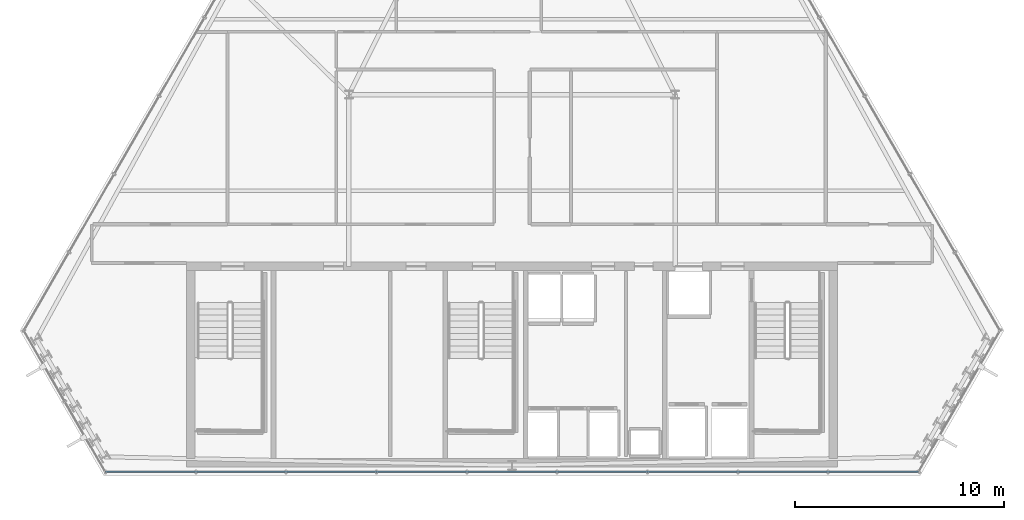
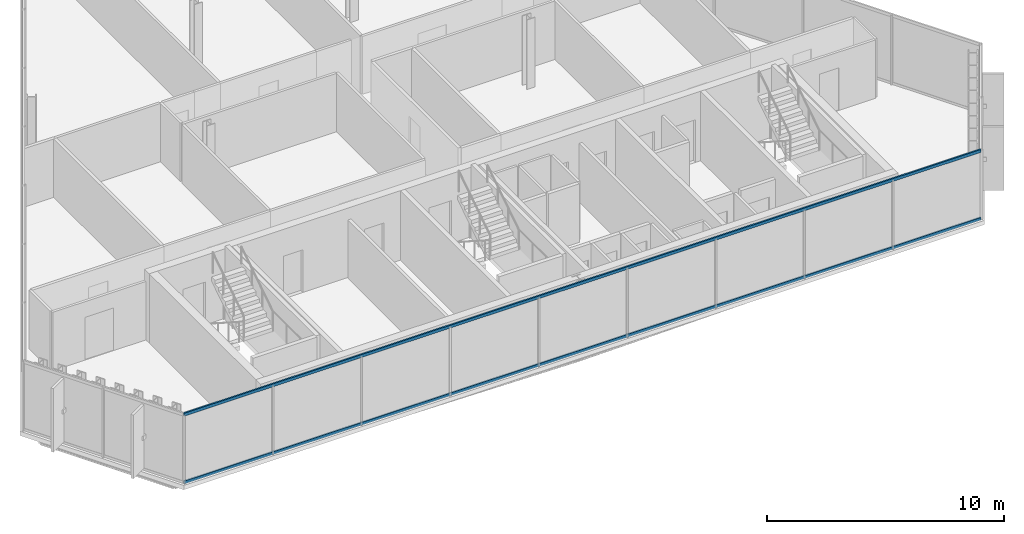
# One storey, part 7 of 30: 2 members, 1 element without a shape of its own.
"""IFC4 building model written with IfcOpenShell, lengths in metres."""

from ifc_helpers import new_model, si_unit, direction, frame, origin, origin_2d, place, context, subcontext, project, spatial, hollow_rectangle, extrude, material, layer, layer_set, material_profile, profile_set, type_object, element, aggregate, save


model = new_model("IFC4")

# Units and contexts
model_context = context("Model", 3, precision=1e-05, world=origin(), true_north=direction((0.0, 1.0)))
body_context = subcontext(model_context, "Body", "Model", "MODEL_VIEW")
ifc_project = project(units=[si_unit("LENGTHUNIT", "METRE"), si_unit("AREAUNIT", "SQUARE_METRE"), si_unit("VOLUMEUNIT", "CUBIC_METRE"), si_unit("PLANEANGLEUNIT", "RADIAN"), si_unit("MASSUNIT", "GRAM", prefix="KILO")], contexts=[model_context])

# Site, building, storey
site_placement = place(None, origin())
site = spatial("IfcSite", under=ifc_project, at=site_placement, CompositionType="ELEMENT")
building_placement = place(site_placement, origin())
building = spatial("IfcBuilding", under=site, at=building_placement, Name="Ndaravel Arena Tower", CompositionType="ELEMENT")
storey_placement = place(building_placement, frame((0.0, 0.0, 221.800048828125)))
storey = spatial("IfcBuildingStorey", under=building, at=storey_placement, Name="L53", CompositionType="ELEMENT", Elevation=221.800048828125)

# Curtain wall, members
ifc_material_1 = material(Name="Aluminium", Category="aluminium")
ifc_layer = layer(ifc_material_1, 0.179931640625)
ifc_layer_set = layer_set([ifc_layer], Name="Aluminium")
curtain_wall_type = type_object("IfcCurtainWallType", Name="CW-SYS-03", PredefinedType="NOTDEFINED", material=ifc_layer_set)
curtain_wall_placement = place(storey_placement, origin())
curtain_wall = element("IfcCurtainWall", 1, at=curtain_wall_placement, inside=storey, type_object=curtain_wall_type, Name="L53 Faceted Crystal Curtain Wall CW-L53-E01", PredefinedType="NOTDEFINED")
ifc_material_2 = material(Name="Aluminium", Category="aluminium")
ifc_material_profile = material_profile(ifc_material_2, hollow_rectangle(XDim=0.074951171875, YDim=0.14990234375, WallThickness=0.00390625, at=origin_2d()), Name="CW TRANSOM 75x150x4")
ifc_profile_set = profile_set([ifc_material_profile], Name="Aluminium")
member_type = type_object("IfcMemberType", Name="MEM-CW-TRN150", PredefinedType="USERDEFINED", material=ifc_profile_set)
member_1_placement = place(storey_placement, frame((22.566650390625, 5.159912109375, 0.0400390625), z_axis=(1.0, 0.0, 0.0), x_axis=(0.0, 1.0, 0.0)))
member_1 = element("IfcMember", 2, at=member_1_placement, type_object=member_type, Name="CW-L53-E01 Transom 01", ObjectType="TRANSOM", PredefinedType="USERDEFINED", context=body_context, shape_type="SweptSolid", body=[
    extrude(hollow_rectangle(XDim=0.074951171875, YDim=0.14990234375, WallThickness=0.00390625, at=origin_2d()), origin(), (0.0, 0.0, 1.0), 38.86669921875),
])
member_2_placement = place(storey_placement, frame((22.566650390625, 5.159912109375, 3.5400390625), z_axis=(1.0, 0.0, 0.0), x_axis=(0.0, 1.0, 0.0)))
member_2 = element("IfcMember", 3, at=member_2_placement, type_object=member_type, Name="CW-L53-E01 Transom 02", ObjectType="TRANSOM", PredefinedType="USERDEFINED", context=body_context, shape_type="SweptSolid", body=[
    extrude(hollow_rectangle(XDim=0.074951171875, YDim=0.14990234375, WallThickness=0.00390625, at=origin_2d()), origin(), (0.0, 0.0, 1.0), 38.86669921875),
])
aggregate(curtain_wall, [member_1, member_2])

save(model, "model.ifc")
